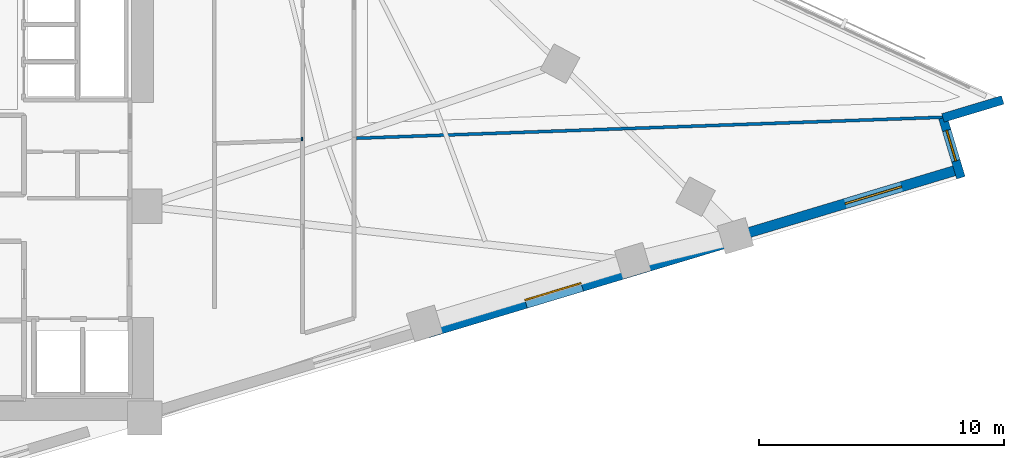
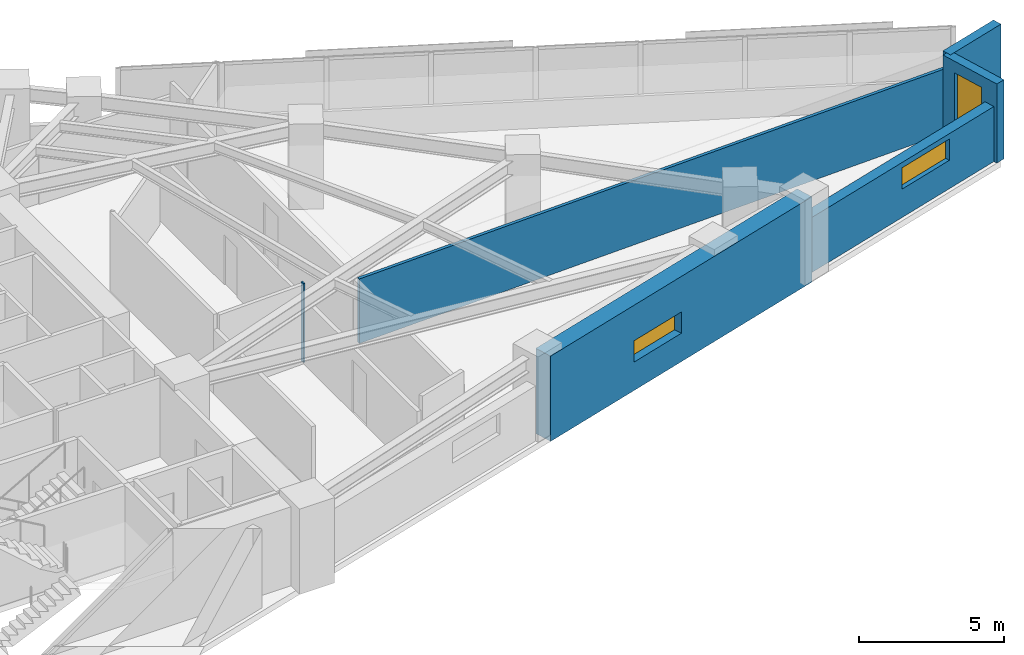
# One storey, part 12 of 15: 6 walls, 3 windows, 3 openings.
"""IFC4 building model written with IfcOpenShell, lengths in metres."""

from ifc_helpers import new_model, si_unit, direction, frame, frame_2d, origin, place, context, subcontext, project, spatial, rectangle, extrude, material, layer, layer_set, type_object, element, fill, save


model = new_model("IFC4")

# Units and contexts
model_context = context("Model", 3, precision=1e-05, world=origin(), true_north=direction((0.0, 1.0)))
body_context = subcontext(model_context, "Body", "Model", "MODEL_VIEW")
ifc_project = project(units=[si_unit("LENGTHUNIT", "METRE"), si_unit("AREAUNIT", "SQUARE_METRE"), si_unit("VOLUMEUNIT", "CUBIC_METRE"), si_unit("PLANEANGLEUNIT", "RADIAN"), si_unit("MASSUNIT", "GRAM", prefix="KILO")], contexts=[model_context])

# Site, building, storey
site_placement = place(None, origin())
site = spatial("IfcSite", under=ifc_project, at=site_placement, CompositionType="ELEMENT")
building_placement = place(site_placement, origin())
building = spatial("IfcBuilding", under=site, at=building_placement, Name="Narakoshi Arena Tower", CompositionType="ELEMENT")
storey_placement = place(building_placement, frame((0.0, 0.0, 143.10009765625)))
storey = spatial("IfcBuildingStorey", under=building, at=storey_placement, Name="L38", CompositionType="ELEMENT", Elevation=143.10009765625)

# Wall, opening, window
ifc_material_1 = material(Name="Concrete C60/75", Category="concrete")
ifc_layer_1 = layer(ifc_material_1, 0.699951171875)
ifc_layer_set_1 = layer_set([ifc_layer_1], Name="Concrete C60/75")
wall_type_1 = type_object("IfcWallType", Name="WL-LEG-700", PredefinedType="SHEAR", material=ifc_layer_set_1)
wall_1_placement = place(storey_placement, frame((97.062255859375, 38.306640625, -0.260009765625), z_axis=(0.0, 0.0, 1.0), x_axis=(0.957569832102, 0.288201347408, 0.0)))
wall_1 = element("IfcWall", 1, at=wall_1_placement, inside=storey, type_object=wall_type_1, Name="L38 Architectural Concrete Structural Wall LEGA-3", PredefinedType="SHEAR", context=body_context, shape_type="SweptSolid", body=[
    extrude(rectangle(XDim=13.198974609375, YDim=0.699951171875, at=frame_2d((6.599609375, 0.0))), origin(), (0.0, 0.0, 1.0), 3.599853515625),
])
opening_1_placement = place(wall_1_placement, frame((4.201171875, 0.0, 1.199951171875)))
opening_1 = element("IfcOpeningElement", 2, at=opening_1_placement, cuts=wall_1, Name="Opening WN-01", PredefinedType="OPENING", context=body_context, shape_type="SweptSolid", body=[
    extrude(rectangle(XDim=2.39990234375, YDim=0.89990234375, at=frame_2d((1.199951171875, 0.449951171875))), frame((0.0, 0.35986328125, 0.0), z_axis=(0.0, -1.0, 0.0), x_axis=(1.0, 0.0, 0.0)), (0.0, 0.0, 1.0), 0.719970703125),
])
ifc_material_2 = material(Name="Bronze-tinted low-E laminated glass", Category="glass")
window_type_1 = type_object("IfcWindowType", Name="WIN-SLT-24x09", PartitioningType="SINGLE_PANEL", PredefinedType="WINDOW", material=ifc_material_2)
window_1_placement = place(opening_1_placement, origin())
window_1 = element("IfcWindow", 3, at=window_1_placement, inside=storey, type_object=window_type_1, Name="L38 LEGA3 Horizontal Slot Window 1", OverallHeight=0.89990234375, OverallWidth=2.39990234375, PartitioningType="SINGLE_PANEL", PredefinedType="WINDOW", context=body_context, shape_type="SweptSolid", body=[
    extrude(rectangle(XDim=2.39990234375, YDim=0.89990234375, at=frame_2d((1.199951171875, 0.449951171875))), frame((0.0, 0.030029296875, 0.0), z_axis=(0.0, -1.0, 0.0), x_axis=(1.0, 0.0, 0.0)), (0.0, 0.0, 1.0), 0.06005859375),
])
fill(opening_1, window_1)

# Wall
ifc_material_3 = material(Name="Gypsum plasterboard fire-rated partition")
ifc_layer_2 = layer(ifc_material_3, 0.125)
ifc_layer_set_2 = layer_set([ifc_layer_2], Name="Gypsum plasterboard fire-rated partition")
wall_type_2 = type_object("IfcWallType", Name="WL-PART-125", PredefinedType="PARTITIONING", material=ifc_layer_set_2)
wall_2_placement = place(storey_placement, frame((94.199462890625, 46.130126953125, 0.0), z_axis=(0.0, 0.0, 1.0), x_axis=(0.999359118805, 0.035795972695, 0.0)))
element("IfcWall", 4, at=wall_2_placement, inside=storey, type_object=wall_type_2, Name="L38 Inter-Room Partition 03-04", PredefinedType="PARTITIONING", context=body_context, shape_type="SweptSolid", body=[
    extrude(rectangle(XDim=24.09619140625, YDim=0.125, at=frame_2d((12.048095703125, 0.0))), origin(), (0.0, 0.0, 1.0), 2.724853515625),
])

# Wall, opening, window
ifc_material_4 = material(Name="Precast concrete C45/55", Category="concrete")
ifc_layer_3 = layer(ifc_material_4, 0.419921875)
ifc_layer_set_3 = layer_set([ifc_layer_3], Name="Precast concrete C45/55")
wall_type_3 = type_object("IfcWallType", Name="WL-POD-420", PredefinedType="SOLIDWALL", material=ifc_layer_set_3)
wall_3_placement = place(storey_placement, frame((109.701171875, 42.110595703125, 0.0), z_axis=(0.0, 0.0, 1.0), x_axis=(0.957575807765, 0.288181492091, 0.0)))
wall_3 = element("IfcWall", 5, at=wall_3_placement, inside=storey, type_object=wall_type_3, Name="L38 Architectural Concrete Facade Wall LEGA-4", PredefinedType="SOLIDWALL", context=body_context, shape_type="SweptSolid", body=[
    extrude(rectangle(XDim=9.510498046875, YDim=0.419921875, at=frame_2d((4.75537109375, 0.0))), origin(), (0.0, 0.0, 1.0), 2.324951171875),
])
opening_2_placement = place(wall_3_placement, frame((4.679443359375, 0.0, 1.199951171875)))
opening_2 = element("IfcOpeningElement", 6, at=opening_2_placement, cuts=wall_3, Name="Opening WN-01", PredefinedType="OPENING", context=body_context, shape_type="SweptSolid", body=[
    extrude(rectangle(XDim=2.39990234375, YDim=0.89990234375, at=frame_2d((1.199951171875, 0.449951171875))), frame((0.0, 0.219970703125, 0.0), z_axis=(0.0, -1.0, 0.0), x_axis=(1.0, 0.0, 0.0)), (0.0, 0.0, 1.0), 0.43994140625),
])
window_2_placement = place(opening_2_placement, origin())
window_2 = element("IfcWindow", 7, at=window_2_placement, inside=storey, type_object=window_type_1, Name="L38 LEGA4 Horizontal Slot Window 1", OverallHeight=0.89990234375, OverallWidth=2.39990234375, PartitioningType="SINGLE_PANEL", PredefinedType="WINDOW", context=body_context, shape_type="SweptSolid", body=[
    extrude(rectangle(XDim=2.39990234375, YDim=0.89990234375, at=frame_2d((1.199951171875, 0.449951171875))), frame((0.0, 0.030029296875, 0.0), z_axis=(0.0, -1.0, 0.0), x_axis=(1.0, 0.0, 0.0)), (0.0, 0.0, 1.0), 0.06005859375),
])
fill(opening_2, window_2)

wall_4_placement = place(storey_placement, frame((118.908935546875, 44.51611328125, 0.0), z_axis=(0.0, 0.0, 1.0), x_axis=(-0.288172590882, 0.95757848653, 0.0)))
wall_4 = element("IfcWall", 8, at=wall_4_placement, inside=storey, type_object=wall_type_3, Name="L38 Re-Entrant Corner Notch Wall NTE-1", PredefinedType="SOLIDWALL", context=body_context, shape_type="SweptSolid", body=[
    extrude(rectangle(XDim=2.552734375, YDim=0.360107421875, at=frame_2d((1.2763671875, 0.0))), origin(), (0.0, 0.0, 1.0), 3.33984375),
])
opening_3_placement = place(wall_4_placement, frame((0.7216796875, 0.0, 0.449951171875)))
opening_3 = element("IfcOpeningElement", 9, at=opening_3_placement, cuts=wall_4, Name="Opening WN-06", PredefinedType="OPENING", context=body_context, shape_type="SweptSolid", body=[
    extrude(rectangle(XDim=1.300048828125, YDim=2.39990234375, at=frame_2d((0.64990234375, 1.199951171875))), frame((0.0, 0.18994140625, 0.0), z_axis=(0.0, -1.0, 0.0), x_axis=(1.0, 0.0, 0.0)), (0.0, 0.0, 1.0), 0.380126953125),
])
window_type_2 = type_object("IfcWindowType", Name="WIN-NTC-16x24", PartitioningType="SINGLE_PANEL", PredefinedType="WINDOW", material=ifc_material_2)
window_3_placement = place(opening_3_placement, origin())
window_3 = element("IfcWindow", 10, at=window_3_placement, inside=storey, type_object=window_type_2, Name="L38 Corner Notch Window NTE", OverallHeight=2.39990234375, OverallWidth=1.300048828125, PartitioningType="SINGLE_PANEL", PredefinedType="WINDOW", context=body_context, shape_type="SweptSolid", body=[
    extrude(rectangle(XDim=1.300048828125, YDim=2.39990234375, at=frame_2d((0.64990234375, 1.199951171875))), frame((0.0, 0.030029296875, 0.0), z_axis=(0.0, -1.0, 0.0), x_axis=(1.0, 0.0, 0.0)), (0.0, 0.0, 1.0), 0.06005859375),
])
fill(opening_3, window_3)

# Walls
wall_5_placement = place(storey_placement, frame((118.17333984375, 46.96044921875, 0.0), z_axis=(0.0, 0.0, 1.0), x_axis=(0.95757848653, 0.288172590882, 0.0)))
element("IfcWall", 11, at=wall_5_placement, inside=storey, type_object=wall_type_3, Name="L38 Re-Entrant Corner Notch Wall NTE-2", PredefinedType="SOLIDWALL", context=body_context, shape_type="SweptSolid", body=[
    extrude(rectangle(XDim=2.552734375, YDim=0.360107421875, at=frame_2d((1.2763671875, 0.0))), origin(), (0.0, 0.0, 1.0), 3.33984375),
])
ifc_material_5 = material(Name="Moisture-resistant cement-board partition")
ifc_layer_4 = layer(ifc_material_5, 0.14501953125)
ifc_layer_set_4 = layer_set([ifc_layer_4], Name="Moisture-resistant cement-board partition")
wall_type_4 = type_object("IfcWallType", Name="WL-WET-145", PredefinedType="PARTITIONING", material=ifc_layer_set_4)
wall_6_placement = place(storey_placement, frame((92.0048828125, 46.10791015625, 0.0), z_axis=(0.0, 0.0, 1.0), x_axis=(-0.999168053101, -0.040782369514, 0.0)))
element("IfcWall", 12, at=wall_6_placement, inside=storey, type_object=wall_type_4, Name="L38 Corridor Partition 05-4", PredefinedType="PARTITIONING", context=body_context, shape_type="SweptSolid", body=[
    extrude(rectangle(XDim=0.059814453125, YDim=0.14501953125, at=frame_2d((0.02978515625, 0.0))), origin(), (0.0, 0.0, 1.0), 3.33984375),
])

save(model, "model.ifc")
